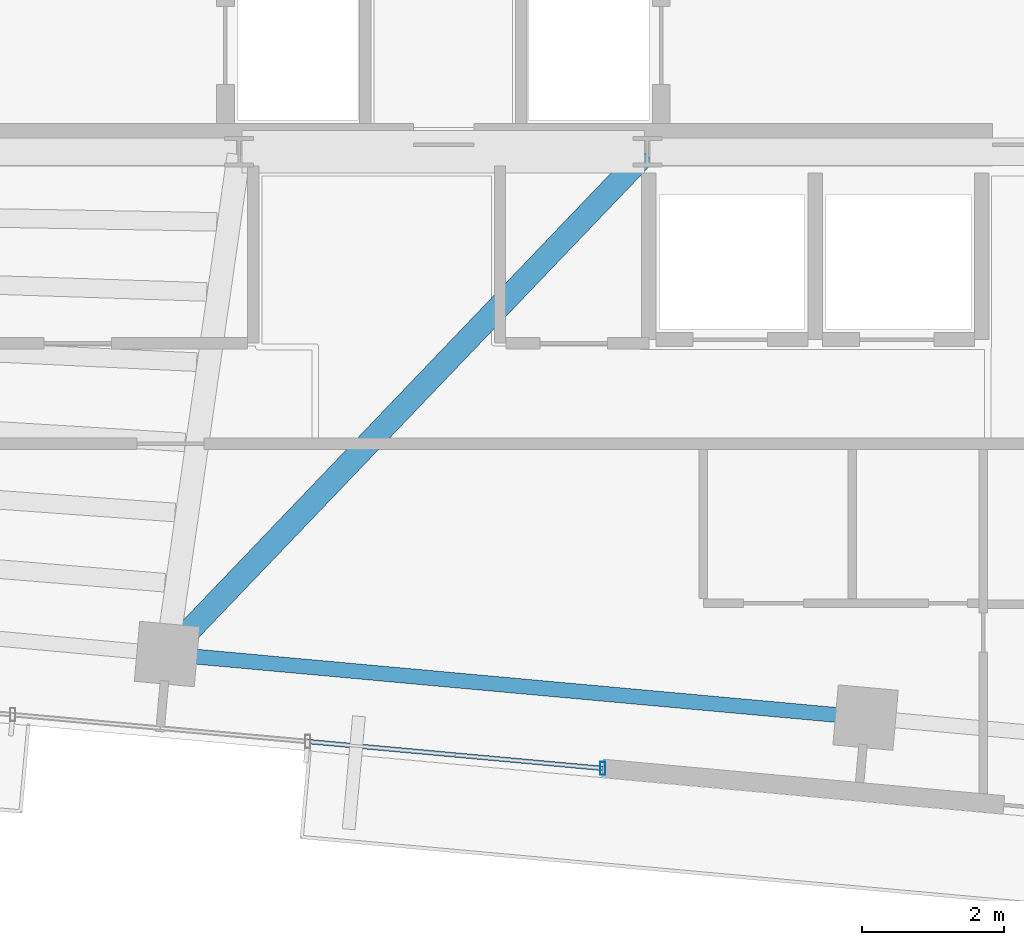
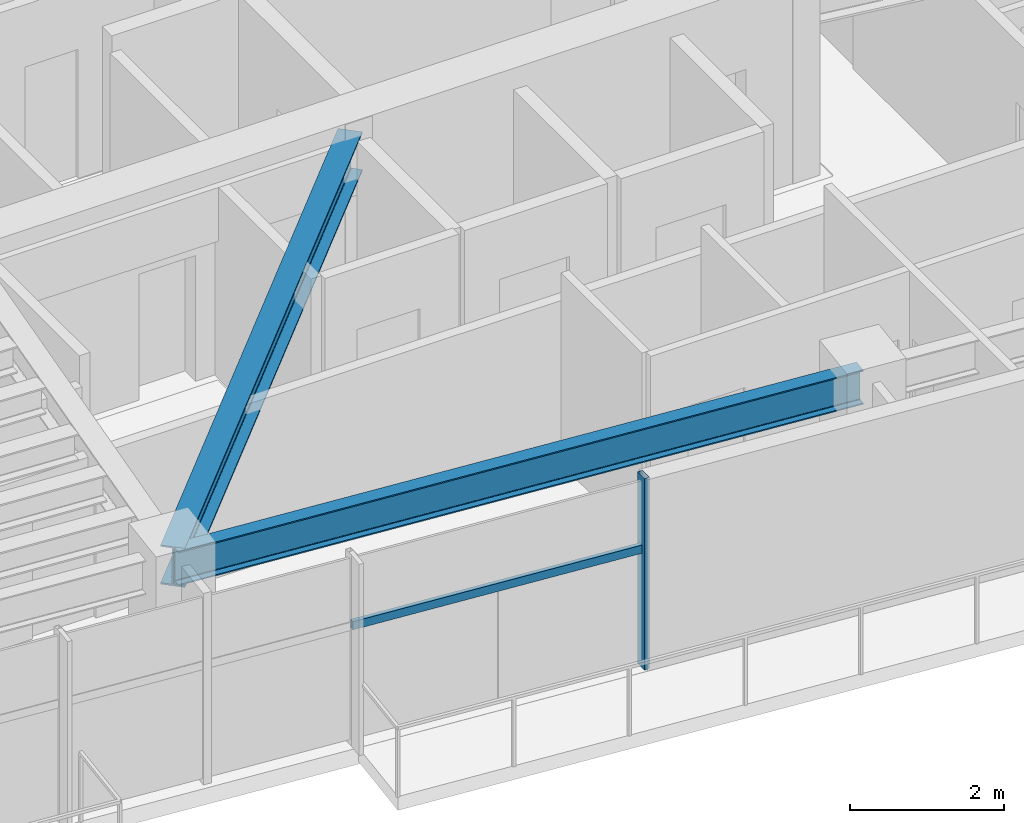
# One storey, part 7 of 22: 2 beams, 2 members, 1 element without a shape of its own.
"""IFC4 building model written with IfcOpenShell, lengths in metres."""

from ifc_helpers import new_model, si_unit, direction, frame, origin, origin_2d, place, context, subcontext, project, spatial, hollow_rectangle, i_section, extrude, source, transform, mapped, material, material_profile, profile_set, type_object, type_shapes, element, aggregate, save


model = new_model("IFC4")

# Units and contexts
model_context = context("Model", 3, precision=1e-05, world=origin(), true_north=direction((0.0, 1.0)))
body_context = subcontext(model_context, "Body", "Model", "MODEL_VIEW")
ifc_project = project(units=[si_unit("LENGTHUNIT", "METRE"), si_unit("AREAUNIT", "SQUARE_METRE"), si_unit("VOLUMEUNIT", "CUBIC_METRE"), si_unit("PLANEANGLEUNIT", "RADIAN"), si_unit("MASSUNIT", "GRAM", prefix="KILO")], contexts=[model_context])

# Site, building, storey
site_placement = place(None, origin())
site = spatial("IfcSite", under=ifc_project, at=site_placement, CompositionType="ELEMENT")
building_placement = place(site_placement, origin())
building = spatial("IfcBuilding", under=site, at=building_placement, Name="Astriad Promenade Condominiums", CompositionType="ELEMENT")
storey_placement = place(building_placement, frame((0.0, 0.0, 249.60009765625)))
storey = spatial("IfcBuildingStorey", under=building, at=storey_placement, Name="L72", CompositionType="ELEMENT", Elevation=249.60009765625)

# Beams
ifc_material_1 = material(Name="Steel ASTM A992 Grade 50", Category="steel")
ifc_material_profile_1 = material_profile(ifc_material_1, i_section(OverallWidth=0.210693359375, OverallDepth=0.53955078125, WebThickness=0.01171875, FlangeThickness=0.018798828125, FilletRadius=0.0166015625, at=origin_2d()), Name="W21X73")
ifc_profile_set_1 = profile_set([ifc_material_profile_1], Name="Steel ASTM A992 Grade 50")
beam_type_1 = type_object("IfcBeamType", Name="STEEL SPANDREL BEAM W21X73", PredefinedType="SPANDREL", material=ifc_profile_set_1)
shared_shape_1 = source(origin(), body_context, "Body", "SweptSolid", [
    extrude(i_section(OverallWidth=0.210693359375, OverallDepth=0.53955078125, WebThickness=0.01171875, FlangeThickness=0.018798828125, FilletRadius=0.0166015625, at=origin_2d()), origin(), (0.0, 0.0, 1.0), 9.820068359375),
])
type_shapes(beam_type_1, [shared_shape_1])
beam_1_placement = place(storey_placement, frame((32.14013671875, 10.30810546875, 2.77001953125), z_axis=(0.995885663174, -0.090618683965, 0.0), x_axis=(0.090618683965, 0.995885663174, 0.0)))
element("IfcBeam", 1, at=beam_1_placement, inside=storey, type_object=beam_type_1, Name="Perimeter Spandrel Beam SP-S3-L72", PredefinedType="SPANDREL", context=body_context, shape_type="MappedRepresentation", body=[
    mapped(shared_shape_1, transform((0.0, 0.0, 0.0), scale=1.0)),
])
ifc_material_profile_2 = material_profile(ifc_material_1, i_section(OverallWidth=0.326416015625, OverallDepth=0.621826171875, WebThickness=0.015380859375, FlangeThickness=0.0244140625, FilletRadius=0.017822265625, at=origin_2d()), Name="W24X131")
ifc_profile_set_2 = profile_set([ifc_material_profile_2], Name="Steel ASTM A992 Grade 50")
beam_type_2 = type_object("IfcBeamType", Name="STEEL FLOOR GIRDER W24X131", PredefinedType="BEAM", material=ifc_profile_set_2)
shared_shape_2 = source(origin(), body_context, "Body", "SweptSolid", [
    extrude(i_section(OverallWidth=0.326416015625, OverallDepth=0.621826171875, WebThickness=0.015380859375, FlangeThickness=0.0244140625, FilletRadius=0.017822265625, at=origin_2d()), origin(), (0.0, 0.0, 1.0), 9.728515625),
])
type_shapes(beam_type_2, [shared_shape_2])
beam_2_placement = place(storey_placement, frame((32.1279296875, 10.3408203125, 2.72900390625), z_axis=(0.691209540622, 0.722654392468, 0.0), x_axis=(-0.722654392468, 0.691209540622, 0.0)))
element("IfcBeam", 2, at=beam_2_placement, inside=storey, type_object=beam_type_2, Name="Primary Floor Girder PG-C2-L72", PredefinedType="BEAM", context=body_context, shape_type="MappedRepresentation", body=[
    mapped(shared_shape_2, transform((0.0, 0.0, 0.0), scale=1.0)),
])

# Curtain wall, members
ifc_material_2 = material(Name="Anodised aluminium Black Dark Glass Unitised", Category="aluminium")
curtain_wall_type = type_object("IfcCurtainWallType", Name="CW-B5-DARK", PredefinedType="USERDEFINED", material=ifc_material_2)
curtain_wall_placement = place(storey_placement, origin())
curtain_wall = element("IfcCurtainWall", 3, at=curtain_wall_placement, inside=storey, type_object=curtain_wall_type, Name="CW-L72-S", ObjectType="UNITISED_CURTAIN_WALL", PredefinedType="USERDEFINED")
ifc_material_3 = material(Name="Anodised aluminium 6063-T6 Black", Category="aluminium")
ifc_material_profile_3 = material_profile(ifc_material_3, hollow_rectangle(XDim=0.074951171875, YDim=0.18505859375, WallThickness=0.00439453125, at=origin_2d()), Name="ALU-MUL-75X185")
ifc_profile_set_3 = profile_set([ifc_material_profile_3], Name="Anodised aluminium 6063-T6 Black")
member_type_1 = type_object("IfcMemberType", Name="MUL-ALU-MUL-75X185", PredefinedType="MULLION", material=ifc_profile_set_3)
shared_shape_3 = source(origin(), body_context, "Body", "SweptSolid", [
    extrude(hollow_rectangle(XDim=0.074951171875, YDim=0.18505859375, WallThickness=0.00439453125, at=origin_2d()), origin(), (0.0, 0.0, 1.0), 3.039794921875),
])
type_shapes(member_type_1, [shared_shape_3])
member_1_placement = place(storey_placement, frame((38.24951171875, 8.69775390625, 0.0), z_axis=(0.0, 0.0, 1.0), x_axis=(1.0, 0.0, 0.0)))
member_1 = element("IfcMember", 4, at=member_1_placement, type_object=member_type_1, Name="CW-L72-S-MUL-00", PredefinedType="MULLION", context=body_context, shape_type="MappedRepresentation", body=[
    mapped(shared_shape_3, transform((0.0, 0.0, 0.0), scale=1.0)),
])
ifc_material_profile_4 = material_profile(ifc_material_3, hollow_rectangle(XDim=0.06494140625, YDim=0.1298828125, WallThickness=0.00390625, at=origin_2d()), Name="ALU-TRN-65X130")
ifc_profile_set_4 = profile_set([ifc_material_profile_4], Name="Anodised aluminium 6063-T6 Black")
member_type_2 = type_object("IfcMemberType", Name="TRN-ALU-TRN-65X130", PredefinedType="USERDEFINED", material=ifc_profile_set_4)
shared_shape_4 = source(origin(), body_context, "Body", "SweptSolid", [
    extrude(hollow_rectangle(XDim=0.06494140625, YDim=0.1298828125, WallThickness=0.00390625, at=origin_2d()), origin(), (0.0, 0.0, 1.0), 4.179931640625),
])
type_shapes(member_type_2, [shared_shape_4])
member_2_placement = place(storey_placement, frame((38.24951171875, 8.69775390625, 1.884765625), z_axis=(-0.995883146811, 0.090646334165, 0.0), x_axis=(-0.090646334165, -0.995883146811, 0.0)))
member_2 = element("IfcMember", 5, at=member_2_placement, type_object=member_type_2, Name="CW-L72-S-TRN-00-0", ObjectType="TRANSOM", PredefinedType="USERDEFINED", context=body_context, shape_type="MappedRepresentation", body=[
    mapped(shared_shape_4, transform((0.0, 0.0, 0.0), scale=1.0)),
])
aggregate(curtain_wall, [member_1, member_2])

save(model, "model.ifc")
